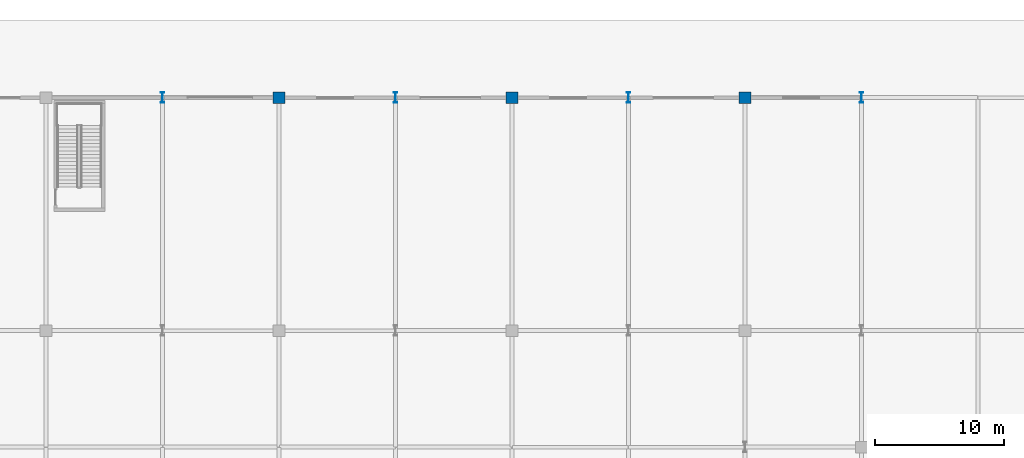
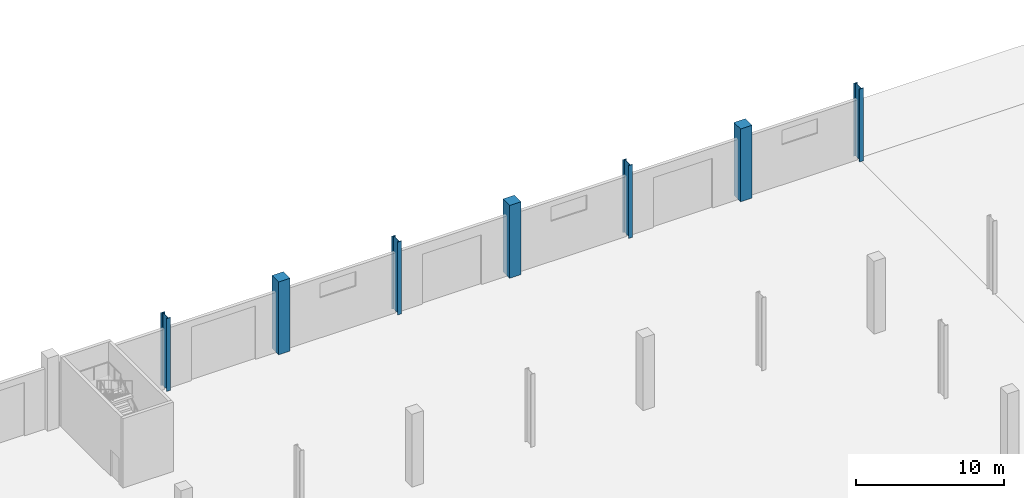
# One storey, part 16 of 58: 7 columns.
"""IFC4 building model written with IfcOpenShell, lengths in metres."""

from ifc_helpers import new_model, si_unit, direction, frame, origin, origin_2d, place, context, subcontext, project, spatial, rectangle, i_section, extrude, material, material_profile, profile_set, type_object, element, save


model = new_model("IFC4")

# Units and contexts
model_context = context("Model", 3, precision=1e-05, world=origin(), true_north=direction((0.0, 1.0)))
body_context = subcontext(model_context, "Body", "Model", "MODEL_VIEW")
ifc_project = project(units=[si_unit("LENGTHUNIT", "METRE"), si_unit("AREAUNIT", "SQUARE_METRE"), si_unit("VOLUMEUNIT", "CUBIC_METRE"), si_unit("PLANEANGLEUNIT", "RADIAN"), si_unit("MASSUNIT", "GRAM", prefix="KILO")], contexts=[model_context])

# Site, building, storey
site_placement = place(None, origin())
site = spatial("IfcSite", under=ifc_project, at=site_placement, CompositionType="ELEMENT")
building_placement = place(site_placement, origin())
building = spatial("IfcBuilding", under=site, at=building_placement, Name="Barlavento Convention Centre", CompositionType="ELEMENT")
storey_placement = place(building_placement, origin())
storey = spatial("IfcBuildingStorey", under=building, at=storey_placement, Name="L00", CompositionType="ELEMENT", Elevation=0.0)

# Columns
ifc_material_1 = material(Name="Steel S460", Category="steel")
ifc_material_profile_1 = material_profile(ifc_material_1, i_section(OverallWidth=0.302978515625, OverallDepth=0.81396484375, WebThickness=0.02099609375, FlangeThickness=0.0400390625, FilletRadius=0.030029296875, at=origin_2d()), Name="HEM 800")
ifc_profile_set_1 = profile_set([ifc_material_profile_1], Name="Steel S460")
column_type_1 = type_object("IfcColumnType", Name="STR-COL-HEM800", PredefinedType="COLUMN", material=ifc_profile_set_1)
for number, where, z_axis, x_axis, name in (
    (1, (72.0, 135.0, 0.0), (0.0, 0.0, 1.0), (1.0, 0.0, 0.0), "L00 column SC02"),
    (2, (90.0, 135.0, 0.0), (0.0, 0.0, 1.0), (1.0, 0.0, 0.0), "L00 column SC02"),
    (3, (108.0, 135.0, 0.0), (0.0, 0.0, 1.0), (1.0, 0.0, 0.0), "L00 column SC02"),
    (4, (126.0, 135.0, 0.0), (0.0, 0.0, 1.0), (1.0, 0.0, 0.0), "L00 column SC02"),
):
    element("IfcColumn", number, at=place(storey_placement, frame(where, z_axis=z_axis, x_axis=x_axis)), inside=storey, type_object=column_type_1, Name=name, PredefinedType="COLUMN", context=body_context, shape_type="SweptSolid", body=[
        extrude(i_section(OverallWidth=0.302978515625, OverallDepth=0.81396484375, WebThickness=0.02099609375, FlangeThickness=0.0400390625, FilletRadius=0.030029296875, at=origin_2d()), origin(), (0.0, 0.0, 1.0), 6.0),
    ])
ifc_material_2 = material(Name="Concrete C50/60", Category="concrete")
ifc_material_profile_2 = material_profile(ifc_material_2, rectangle(XDim=0.89990234375, YDim=0.89990234375, at=origin_2d()), Name="RC 900x900")
ifc_profile_set_2 = profile_set([ifc_material_profile_2], Name="Concrete C50/60")
column_type_2 = type_object("IfcColumnType", Name="STR-COL-RC900", PredefinedType="COLUMN", material=ifc_profile_set_2)
for number, where, z_axis, x_axis, name in (
    (5, (81.0, 135.0, 0.0), (0.0, 0.0, 1.0), (1.0, 0.0, 0.0), "L00 column CC04"),
    (6, (99.0, 135.0, 0.0), (0.0, 0.0, 1.0), (1.0, 0.0, 0.0), "L00 column CC04"),
    (7, (117.0, 135.0, 0.0), (0.0, 0.0, 1.0), (1.0, 0.0, 0.0), "L00 column CC04"),
):
    element("IfcColumn", number, at=place(storey_placement, frame(where, z_axis=z_axis, x_axis=x_axis)), inside=storey, type_object=column_type_2, Name=name, PredefinedType="COLUMN", context=body_context, shape_type="SweptSolid", body=[
        extrude(rectangle(XDim=0.89990234375, YDim=0.89990234375, at=origin_2d()), origin(), (0.0, 0.0, 1.0), 6.0),
    ])

save(model, "model.ifc")
